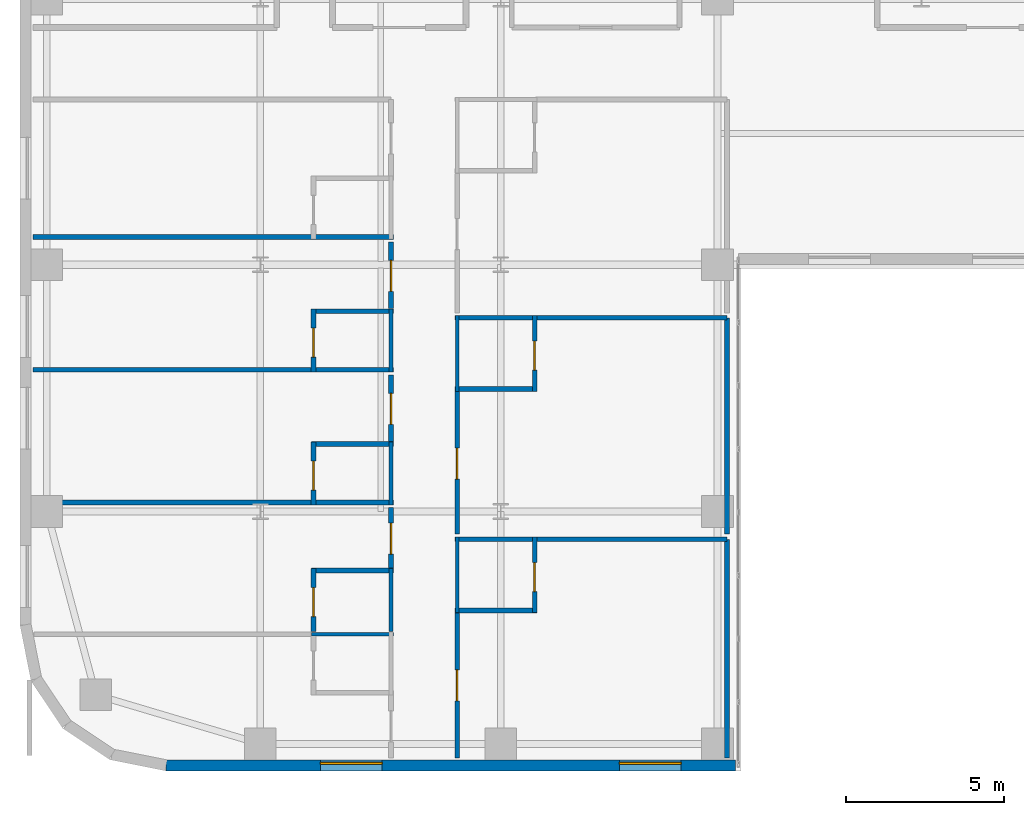
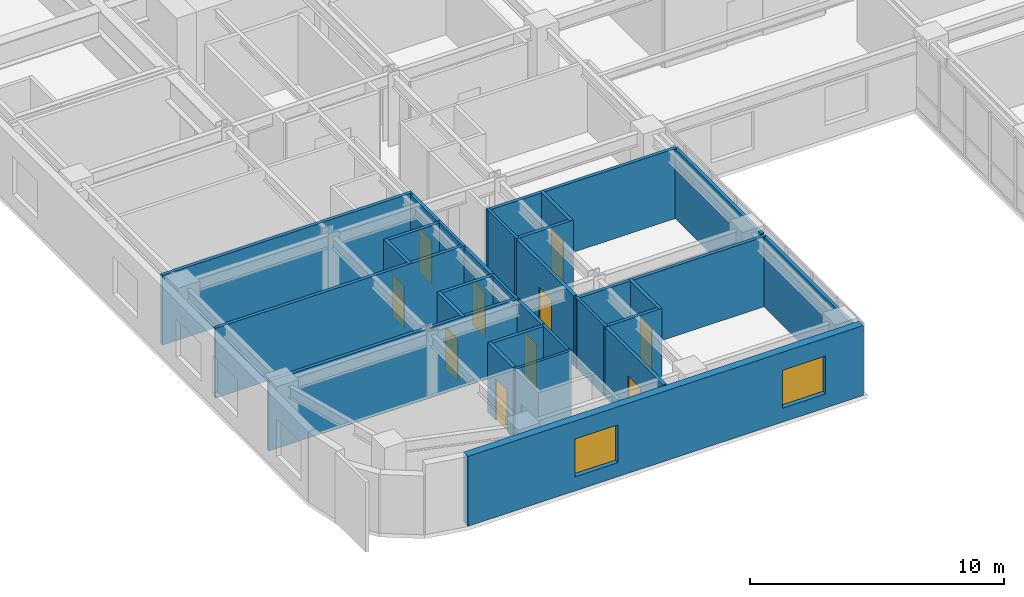
# One storey, part 10 of 17: 31 walls, 10 doors, 2 windows, 12 openings.
"""IFC4 building model written with IfcOpenShell, lengths in metres."""

from ifc_helpers import new_model, si_unit, direction, frame, frame_2d, origin, place, context, subcontext, project, spatial, rectangle, extrude, source, transform, mapped, material, layer, layer_set, type_object, type_shapes, element, fill, save


model = new_model("IFC4")

# Units and contexts
model_context = context("Model", 3, precision=1e-05, world=origin(), true_north=direction((0.0, 1.0)))
body_context = subcontext(model_context, "Body", "Model", "MODEL_VIEW")
ifc_project = project(units=[si_unit("LENGTHUNIT", "METRE"), si_unit("AREAUNIT", "SQUARE_METRE"), si_unit("VOLUMEUNIT", "CUBIC_METRE"), si_unit("PLANEANGLEUNIT", "RADIAN"), si_unit("MASSUNIT", "GRAM", prefix="KILO")], contexts=[model_context])

# Site, building, storey
site_placement = place(None, origin())
site = spatial("IfcSite", under=ifc_project, at=site_placement, CompositionType="ELEMENT")
building_placement = place(site_placement, origin())
building = spatial("IfcBuilding", under=site, at=building_placement, Name="Tolvann Quenvar Hotel", CompositionType="ELEMENT")
storey_placement = place(building_placement, frame((0.0, 0.0, 35.550048828125)))
storey = spatial("IfcBuildingStorey", under=building, at=storey_placement, Name="L07", CompositionType="ELEMENT", Elevation=35.550048828125)

# Wall, openings, windows
ifc_material_1 = material(Name="Kiln-fired red and buff architectural clay brickwork and terracotta masonry", Category="masonry")
ifc_layer_1 = layer(ifc_material_1, 0.35009765625)
ifc_layer_set_1 = layer_set([ifc_layer_1], Name="Kiln-fired red and buff architectural clay brickwork and terracotta masonry")
wall_type_1 = type_object("IfcWallType", Name="WALL_EXT_BRICK_350", PredefinedType="SOLIDWALL", material=ifc_layer_set_1)
wall_1_placement = place(storey_placement, frame((4.6171875, 0.175048828125, 0.0), z_axis=(0.0, 0.0, 1.0), x_axis=(1.0, 0.0, 0.0)))
wall_1 = element("IfcWall", 1, at=wall_1_placement, inside=storey, type_object=wall_type_1, Name="Exterior Chicago Brick Wall L07-E04", PredefinedType="SOLIDWALL", context=body_context, shape_type="SweptSolid", body=[
    extrude(rectangle(XDim=18.0078125, YDim=0.35009765625, at=frame_2d((9.00390625, 0.0))), origin(), (0.0, 0.0, 1.0), 3.369873046875),
])
opening_1_placement = place(wall_1_placement, frame((4.8779296875, 0.0, 0.679931640625)))
opening_1 = element("IfcOpeningElement", 2, at=opening_1_placement, cuts=wall_1, Name="Opening W-10", PredefinedType="OPENING", context=body_context, shape_type="SweptSolid", body=[
    extrude(rectangle(XDim=1.949951171875, YDim=1.820068359375, at=frame_2d((0.97509765625, 0.91015625))), frame((0.0, 0.18505859375, 0.0), z_axis=(0.0, -1.0, 0.0), x_axis=(1.0, 0.0, 0.0)), (0.0, 0.0, 1.0), 0.3701171875),
])
opening_2_placement = place(wall_1_placement, frame((14.33203125, 0.0, 0.679931640625)))
opening_2 = element("IfcOpeningElement", 3, at=opening_2_placement, cuts=wall_1, Name="Opening W-10", PredefinedType="OPENING", context=body_context, shape_type="SweptSolid", body=[
    extrude(rectangle(XDim=1.949951171875, YDim=1.820068359375, at=frame_2d((0.97509765625, 0.91015625))), frame((0.0, 0.18505859375, 0.0), z_axis=(0.0, -1.0, 0.0), x_axis=(1.0, 0.0, 0.0)), (0.0, 0.0, 1.0), 0.3701171875),
])
ifc_material_2 = material(Name="Thermally broken bronze-anodised aluminium frame with double low-E glazing", Category="aluminium")
window_type = type_object("IfcWindowType", Name="WIN_CLB_1950x1850", PartitioningType="DOUBLE_PANEL_VERTICAL", PredefinedType="WINDOW", material=ifc_material_2)
shared_shape_1 = source(origin(), body_context, "Body", "SweptSolid", [
    extrude(rectangle(XDim=1.949951171875, YDim=1.820068359375, at=frame_2d((0.97509765625, 0.91015625))), frame((0.0, 0.090087890625, 0.0), z_axis=(0.0, -1.0, 0.0), x_axis=(1.0, 0.0, 0.0)), (0.0, 0.0, 1.0), 0.06005859375),
])
type_shapes(window_type, [shared_shape_1])
window_1_placement = place(opening_1_placement, origin())
window_1 = element("IfcWindow", 4, at=window_1_placement, inside=storey, type_object=window_type, Name="Chicago Window W-10 (EW-L07-E04-W01)", OverallHeight=1.820068359375, OverallWidth=1.949951171875, PartitioningType="DOUBLE_PANEL_VERTICAL", PredefinedType="WINDOW", context=body_context, shape_type="MappedRepresentation", body=[
    mapped(shared_shape_1, transform((0.0, 0.0, 0.0), x_axis=(1.0, 0.0, 0.0), y_axis=(0.0, 1.0, 0.0), z_axis=(0.0, 0.0, 1.0), scale=1.0)),
])
fill(opening_1, window_1)
window_2_placement = place(opening_2_placement, origin())
window_2 = element("IfcWindow", 5, at=window_2_placement, inside=storey, type_object=window_type, Name="Chicago Window W-10 (EW-L07-E04-W02)", OverallHeight=1.820068359375, OverallWidth=1.949951171875, PartitioningType="DOUBLE_PANEL_VERTICAL", PredefinedType="WINDOW", context=body_context, shape_type="MappedRepresentation", body=[
    mapped(shared_shape_1, transform((0.0, 0.0, 0.0), x_axis=(1.0, 0.0, 0.0), y_axis=(0.0, 1.0, 0.0), z_axis=(0.0, 0.0, 1.0), scale=1.0)),
])
fill(opening_2, window_2)

# Walls
ifc_material_3 = material(Name="Moisture-resistant acoustic plumbing wall assembly")
ifc_layer_2 = layer(ifc_material_3, 0.1201171875)
ifc_layer_set_2 = layer_set([ifc_layer_2], Name="Moisture-resistant acoustic plumbing wall assembly")
wall_type_2 = type_object("IfcWallType", Name="WALL_PART_BATH_120", PredefinedType="PLUMBINGWALL", material=ifc_layer_set_2)
wall_2_placement = place(storey_placement, frame((9.2099609375, 4.320068359375, 0.0), z_axis=(0.0, 0.0, 1.0), x_axis=(1.0, 0.0, 0.0)))
element("IfcWall", 6, at=wall_2_placement, inside=storey, type_object=wall_type_2, Name="Non-Rated Plumbing Partition PT-SPC-L07-ENS-WO01-N", PredefinedType="PLUMBINGWALL", context=body_context, shape_type="SweptSolid", body=[
    extrude(rectangle(XDim=2.590087890625, YDim=0.1201171875, at=frame_2d((1.294921875, 0.0))), origin(), (0.0, 0.0, 1.0), 3.369873046875),
])
for number, where, z_axis, x_axis, name in (
    (7, (11.72998046875, 4.409912109375, 0.0), (0.0, 0.0, 1.0), (0.0, 1.0, 0.0), "Non-Rated Plumbing Partition PT-SPC-L07-ENS-WO02-E"),
    (8, (11.72998046875, 8.409912109375, 0.0), (0.0, 0.0, 1.0), (0.0, 1.0, 0.0), "Non-Rated Plumbing Partition PT-SPC-L07-ENS-WO03-E"),
    (9, (11.72998046875, 12.610107421875, 0.0), (0.0, 0.0, 1.0), (0.0, 1.0, 0.0), "Non-Rated Plumbing Partition PT-SPC-L07-ENS-WO04-E"),
):
    element("IfcWall", number, at=place(storey_placement, frame(where, z_axis=z_axis, x_axis=x_axis)), inside=storey, type_object=wall_type_2, Name=name, PredefinedType="PLUMBINGWALL", context=body_context, shape_type="SweptSolid", body=[
        extrude(rectangle(XDim=1.989990234375, YDim=0.1201171875, at=frame_2d((0.9951171875, 0.0))), origin(), (0.0, 0.0, 1.0), 3.369873046875),
    ])
for number, where, z_axis, x_axis, name in (
    (10, (13.820068359375, 5.0, 0.0), (0.0, 0.0, 1.0), (0.0, 1.0, 0.0), "Non-Rated Plumbing Partition PT-SPC-L07-ENS-WI01-W"),
    (11, (13.820068359375, 12.0, 0.0), (0.0, 0.0, 1.0), (0.0, 1.0, 0.0), "Non-Rated Plumbing Partition PT-SPC-L07-ENS-WI02-W"),
):
    element("IfcWall", number, at=place(storey_placement, frame(where, z_axis=z_axis, x_axis=x_axis)), inside=storey, type_object=wall_type_2, Name=name, PredefinedType="PLUMBINGWALL", context=body_context, shape_type="SweptSolid", body=[
        extrude(rectangle(XDim=2.389892578125, YDim=0.1201171875, at=frame_2d((1.19482421875, 0.0))), origin(), (0.0, 0.0, 1.0), 3.369873046875),
    ])

# Wall, opening, door
ifc_material_4 = material(Name="Acoustic twin-stud fire-rated gypsum plasterboard partition")
ifc_layer_3 = layer(ifc_material_4, 0.14990234375)
ifc_layer_set_3 = layer_set([ifc_layer_3], Name="Acoustic twin-stud fire-rated gypsum plasterboard partition")
wall_type_3 = type_object("IfcWallType", Name="WALL_PART_SUITE_150", PredefinedType="PARTITIONING", material=ifc_layer_set_3)
wall_3_placement = place(storey_placement, frame((9.280029296875, 4.409912109375, 0.0), z_axis=(0.0, 0.0, 1.0), x_axis=(0.0, 1.0, 0.0)))
wall_3 = element("IfcWall", 12, at=wall_3_placement, inside=storey, type_object=wall_type_3, Name="Interior Partition PT-SPC-L07-ENS-WO02-ENT", PredefinedType="PARTITIONING", context=body_context, shape_type="SweptSolid", body=[
    extrude(rectangle(XDim=1.989990234375, YDim=0.14990234375, at=frame_2d((0.9951171875, 0.0))), origin(), (0.0, 0.0, 1.0), 3.369873046875),
])
opening_3_placement = place(wall_3_placement, frame((0.465087890625, 0.0, 0.0)))
opening_3 = element("IfcOpeningElement", 13, at=opening_3_placement, cuts=wall_3, Name="Opening WD-01", PredefinedType="OPENING", context=body_context, shape_type="SweptSolid", body=[
    extrude(rectangle(XDim=0.919921875, YDim=2.010009765625, at=frame_2d((0.4599609375, 1.0048828125))), frame((0.0, 0.0849609375, 0.0), z_axis=(0.0, -1.0, 0.0), x_axis=(1.0, 0.0, 0.0)), (0.0, 0.0, 1.0), 0.169921875),
])
ifc_material_5 = material(Name="Solid-core American oak acoustic fire door leaf in steel frame", Category="steel")
door_type_1 = type_object("IfcDoorType", Name="DOOR_WC_920", OperationType="NOTDEFINED", PredefinedType="DOOR", material=ifc_material_5)
shared_shape_2 = source(origin(), body_context, "Body", "SweptSolid", [
    extrude(rectangle(XDim=0.919921875, YDim=2.010009765625, at=frame_2d((0.4599609375, 1.0048828125))), frame((0.0, 0.02490234375, 0.0), z_axis=(0.0, -1.0, 0.0), x_axis=(1.0, 0.0, 0.0)), (0.0, 0.0, 1.0), 0.050048828125),
])
type_shapes(door_type_1, [shared_shape_2])
door_1_placement = place(opening_3_placement, origin())
door_1 = element("IfcDoor", 14, at=door_1_placement, inside=storey, type_object=door_type_1, Name="Interior Door DOOR-SPC-L07-ENS-WO02", OperationType="SINGLE_SWING_LEFT", OverallHeight=2.010009765625, OverallWidth=0.919921875, PredefinedType="DOOR", context=body_context, shape_type="MappedRepresentation", body=[
    mapped(shared_shape_2, transform((0.0, 0.0, 0.0), x_axis=(1.0, 0.0, 0.0), y_axis=(0.0, 1.0, 0.0), z_axis=(0.0, 0.0, 1.0), scale=1.0)),
])
fill(opening_3, door_1)

# Wall
wall_4_placement = place(storey_placement, frame((9.2099609375, 6.330078125, 0.0), z_axis=(0.0, 0.0, 1.0), x_axis=(1.0, 0.0, 0.0)))
element("IfcWall", 15, at=wall_4_placement, inside=storey, type_object=wall_type_3, Name="Interior Partition PT-SPC-L07-ENS-WO02-N", PredefinedType="PARTITIONING", context=body_context, shape_type="SweptSolid", body=[
    extrude(rectangle(XDim=2.590087890625, YDim=0.14990234375, at=frame_2d((1.294921875, 0.0))), origin(), (0.0, 0.0, 1.0), 3.369873046875),
])

# Wall, opening, door
wall_5_placement = place(storey_placement, frame((9.280029296875, 8.409912109375, 0.0), z_axis=(0.0, 0.0, 1.0), x_axis=(0.0, 1.0, 0.0)))
wall_5 = element("IfcWall", 16, at=wall_5_placement, inside=storey, type_object=wall_type_3, Name="Interior Partition PT-SPC-L07-ENS-WO03-ENT", PredefinedType="PARTITIONING", context=body_context, shape_type="SweptSolid", body=[
    extrude(rectangle(XDim=1.989990234375, YDim=0.14990234375, at=frame_2d((0.9951171875, 0.0))), origin(), (0.0, 0.0, 1.0), 3.369873046875),
])
opening_4_placement = place(wall_5_placement, frame((0.465087890625, 0.0, 0.0)))
opening_4 = element("IfcOpeningElement", 17, at=opening_4_placement, cuts=wall_5, Name="Opening WD-01", PredefinedType="OPENING", context=body_context, shape_type="SweptSolid", body=[
    extrude(rectangle(XDim=0.919921875, YDim=2.010009765625, at=frame_2d((0.4599609375, 1.0048828125))), frame((0.0, 0.0849609375, 0.0), z_axis=(0.0, -1.0, 0.0), x_axis=(1.0, 0.0, 0.0)), (0.0, 0.0, 1.0), 0.169921875),
])
door_2_placement = place(opening_4_placement, origin())
door_2 = element("IfcDoor", 18, at=door_2_placement, inside=storey, type_object=door_type_1, Name="Interior Door DOOR-SPC-L07-ENS-WO03", OperationType="SINGLE_SWING_RIGHT", OverallHeight=2.010009765625, OverallWidth=0.919921875, PredefinedType="DOOR", context=body_context, shape_type="MappedRepresentation", body=[
    mapped(shared_shape_2, transform((0.0, 0.0, 0.0), x_axis=(1.0, 0.0, 0.0), y_axis=(0.0, 1.0, 0.0), z_axis=(0.0, 0.0, 1.0), scale=1.0)),
])
fill(opening_4, door_2)

# Walls
wall_6_placement = place(storey_placement, frame((0.405029296875, 8.47998046875, 0.0), z_axis=(0.0, 0.0, 1.0), x_axis=(1.0, 0.0, 0.0)))
element("IfcWall", 19, at=wall_6_placement, inside=storey, type_object=wall_type_3, Name="Interior Partition PT-SPC-L07-ENS-WO03-S", PredefinedType="PARTITIONING", context=body_context, shape_type="SweptSolid", body=[
    extrude(rectangle(XDim=11.39501953125, YDim=0.14990234375, at=frame_2d((5.697509765625, 0.0))), origin(), (0.0, 0.0, 1.0), 3.369873046875),
])
wall_7_placement = place(storey_placement, frame((9.2099609375, 10.330078125, 0.0), z_axis=(0.0, 0.0, 1.0), x_axis=(1.0, 0.0, 0.0)))
element("IfcWall", 20, at=wall_7_placement, inside=storey, type_object=wall_type_3, Name="Interior Partition PT-SPC-L07-ENS-WO03-N", PredefinedType="PARTITIONING", context=body_context, shape_type="SweptSolid", body=[
    extrude(rectangle(XDim=2.590087890625, YDim=0.14990234375, at=frame_2d((1.294921875, 0.0))), origin(), (0.0, 0.0, 1.0), 3.369873046875),
])

# Wall, opening, door
wall_8_placement = place(storey_placement, frame((9.280029296875, 12.610107421875, 0.0), z_axis=(0.0, 0.0, 1.0), x_axis=(0.0, 1.0, 0.0)))
wall_8 = element("IfcWall", 21, at=wall_8_placement, inside=storey, type_object=wall_type_3, Name="Interior Partition PT-SPC-L07-ENS-WO04-ENT", PredefinedType="PARTITIONING", context=body_context, shape_type="SweptSolid", body=[
    extrude(rectangle(XDim=1.989990234375, YDim=0.14990234375, at=frame_2d((0.9951171875, 0.0))), origin(), (0.0, 0.0, 1.0), 3.369873046875),
])
opening_5_placement = place(wall_8_placement, frame((0.465087890625, 0.0, 0.0)))
opening_5 = element("IfcOpeningElement", 22, at=opening_5_placement, cuts=wall_8, Name="Opening WD-01", PredefinedType="OPENING", context=body_context, shape_type="SweptSolid", body=[
    extrude(rectangle(XDim=0.919921875, YDim=2.010009765625, at=frame_2d((0.4599609375, 1.0048828125))), frame((0.0, 0.0849609375, 0.0), z_axis=(0.0, -1.0, 0.0), x_axis=(1.0, 0.0, 0.0)), (0.0, 0.0, 1.0), 0.169921875),
])
door_3_placement = place(opening_5_placement, origin())
door_3 = element("IfcDoor", 23, at=door_3_placement, inside=storey, type_object=door_type_1, Name="Interior Door DOOR-SPC-L07-ENS-WO04", OperationType="SINGLE_SWING_LEFT", OverallHeight=2.010009765625, OverallWidth=0.919921875, PredefinedType="DOOR", context=body_context, shape_type="MappedRepresentation", body=[
    mapped(shared_shape_2, transform((0.0, 0.0, 0.0), x_axis=(1.0, 0.0, 0.0), y_axis=(0.0, 1.0, 0.0), z_axis=(0.0, 0.0, 1.0), scale=1.0)),
])
fill(opening_5, door_3)

# Walls
wall_9_placement = place(storey_placement, frame((0.405029296875, 12.679931640625, 0.0), z_axis=(0.0, 0.0, 1.0), x_axis=(1.0, 0.0, 0.0)))
element("IfcWall", 24, at=wall_9_placement, inside=storey, type_object=wall_type_3, Name="Interior Partition PT-SPC-L07-ENS-WO04-S", PredefinedType="PARTITIONING", context=body_context, shape_type="SweptSolid", body=[
    extrude(rectangle(XDim=11.39501953125, YDim=0.14990234375, at=frame_2d((5.697509765625, 0.0))), origin(), (0.0, 0.0, 1.0), 3.369873046875),
])
wall_10_placement = place(storey_placement, frame((9.2099609375, 14.530029296875, 0.0), z_axis=(0.0, 0.0, 1.0), x_axis=(1.0, 0.0, 0.0)))
element("IfcWall", 25, at=wall_10_placement, inside=storey, type_object=wall_type_3, Name="Interior Partition PT-SPC-L07-ENS-WO04-N", PredefinedType="PARTITIONING", context=body_context, shape_type="SweptSolid", body=[
    extrude(rectangle(XDim=2.590087890625, YDim=0.14990234375, at=frame_2d((1.294921875, 0.0))), origin(), (0.0, 0.0, 1.0), 3.369873046875),
])
wall_11_placement = place(storey_placement, frame((0.405029296875, 16.8798828125, 0.0), z_axis=(0.0, 0.0, 1.0), x_axis=(1.0, 0.0, 0.0)))
element("IfcWall", 26, at=wall_11_placement, inside=storey, type_object=wall_type_3, Name="Interior Partition PT-SPC-L07-ENS-WO05-S", PredefinedType="PARTITIONING", context=body_context, shape_type="SweptSolid", body=[
    extrude(rectangle(XDim=11.39501953125, YDim=0.14990234375, at=frame_2d((5.697509765625, 0.0))), origin(), (0.0, 0.0, 1.0), 3.369873046875),
])

# Wall, opening, door
wall_12_placement = place(storey_placement, frame((16.27001953125, 5.0, 0.0), z_axis=(0.0, 0.0, 1.0), x_axis=(0.0, 1.0, 0.0)))
wall_12 = element("IfcWall", 27, at=wall_12_placement, inside=storey, type_object=wall_type_3, Name="Interior Partition PT-SPC-L07-ENS-WI01-ENT", PredefinedType="PARTITIONING", context=body_context, shape_type="SweptSolid", body=[
    extrude(rectangle(XDim=2.389892578125, YDim=0.14990234375, at=frame_2d((1.19482421875, 0.0))), origin(), (0.0, 0.0, 1.0), 3.369873046875),
])
opening_6_placement = place(wall_12_placement, frame((0.6650390625, 0.0, 0.0)))
opening_6 = element("IfcOpeningElement", 28, at=opening_6_placement, cuts=wall_12, Name="Opening WD-01", PredefinedType="OPENING", context=body_context, shape_type="SweptSolid", body=[
    extrude(rectangle(XDim=0.919921875, YDim=2.010009765625, at=frame_2d((0.4599609375, 1.0048828125))), frame((0.0, 0.0849609375, 0.0), z_axis=(0.0, -1.0, 0.0), x_axis=(1.0, 0.0, 0.0)), (0.0, 0.0, 1.0), 0.169921875),
])
door_4_placement = place(opening_6_placement, origin())
door_4 = element("IfcDoor", 29, at=door_4_placement, inside=storey, type_object=door_type_1, Name="Interior Door DOOR-SPC-L07-ENS-WI01", OperationType="SINGLE_SWING_LEFT", OverallHeight=2.010009765625, OverallWidth=0.919921875, PredefinedType="DOOR", context=body_context, shape_type="MappedRepresentation", body=[
    mapped(shared_shape_2, transform((0.0, 0.0, 0.0), x_axis=(1.0, 0.0, 0.0), y_axis=(0.0, 1.0, 0.0), z_axis=(0.0, 0.0, 1.0), scale=1.0)),
])
fill(opening_6, door_4)

# Walls
for number, where, z_axis, x_axis, name in (
    (30, (13.75, 5.070068359375, 0.0), (0.0, 0.0, 1.0), (1.0, 0.0, 0.0), "Interior Partition PT-SPC-L07-ENS-WI01-S"),
    (31, (13.75, 7.320068359375, 0.0), (0.0, 0.0, 1.0), (1.0, 0.0, 0.0), "Interior Partition PT-SPC-L07-ENS-WI01-N"),
):
    element("IfcWall", number, at=place(storey_placement, frame(where, z_axis=z_axis, x_axis=x_axis)), inside=storey, type_object=wall_type_3, Name=name, PredefinedType="PARTITIONING", context=body_context, shape_type="SweptSolid", body=[
        extrude(rectangle(XDim=2.590087890625, YDim=0.14990234375, at=frame_2d((1.294921875, 0.0))), origin(), (0.0, 0.0, 1.0), 3.369873046875),
    ])

# Wall, opening, door
wall_13_placement = place(storey_placement, frame((16.27001953125, 12.0, 0.0), z_axis=(0.0, 0.0, 1.0), x_axis=(0.0, 1.0, 0.0)))
wall_13 = element("IfcWall", 32, at=wall_13_placement, inside=storey, type_object=wall_type_3, Name="Interior Partition PT-SPC-L07-ENS-WI02-ENT", PredefinedType="PARTITIONING", context=body_context, shape_type="SweptSolid", body=[
    extrude(rectangle(XDim=2.389892578125, YDim=0.14990234375, at=frame_2d((1.19482421875, 0.0))), origin(), (0.0, 0.0, 1.0), 3.369873046875),
])
opening_7_placement = place(wall_13_placement, frame((0.6650390625, 0.0, 0.0)))
opening_7 = element("IfcOpeningElement", 33, at=opening_7_placement, cuts=wall_13, Name="Opening WD-01", PredefinedType="OPENING", context=body_context, shape_type="SweptSolid", body=[
    extrude(rectangle(XDim=0.919921875, YDim=2.010009765625, at=frame_2d((0.4599609375, 1.0048828125))), frame((0.0, 0.0849609375, 0.0), z_axis=(0.0, -1.0, 0.0), x_axis=(1.0, 0.0, 0.0)), (0.0, 0.0, 1.0), 0.169921875),
])
door_5_placement = place(opening_7_placement, origin())
door_5 = element("IfcDoor", 34, at=door_5_placement, inside=storey, type_object=door_type_1, Name="Interior Door DOOR-SPC-L07-ENS-WI02", OperationType="SINGLE_SWING_RIGHT", OverallHeight=2.010009765625, OverallWidth=0.919921875, PredefinedType="DOOR", context=body_context, shape_type="MappedRepresentation", body=[
    mapped(shared_shape_2, transform((0.0, 0.0, 0.0), x_axis=(1.0, 0.0, 0.0), y_axis=(0.0, 1.0, 0.0), z_axis=(0.0, 0.0, 1.0), scale=1.0)),
])
fill(opening_7, door_5)

# Walls
for number, where, z_axis, x_axis, name in (
    (35, (13.75, 12.070068359375, 0.0), (0.0, 0.0, 1.0), (1.0, 0.0, 0.0), "Interior Partition PT-SPC-L07-ENS-WI02-S"),
    (36, (13.75, 14.320068359375, 0.0), (0.0, 0.0, 1.0), (1.0, 0.0, 0.0), "Interior Partition PT-SPC-L07-ENS-WI02-N"),
):
    element("IfcWall", number, at=place(storey_placement, frame(where, z_axis=z_axis, x_axis=x_axis)), inside=storey, type_object=wall_type_3, Name=name, PredefinedType="PARTITIONING", context=body_context, shape_type="SweptSolid", body=[
        extrude(rectangle(XDim=2.590087890625, YDim=0.14990234375, at=frame_2d((1.294921875, 0.0))), origin(), (0.0, 0.0, 1.0), 3.369873046875),
    ])

# Wall, opening, door
wall_14_placement = place(storey_placement, frame((11.72998046875, 6.409912109375, 0.0), z_axis=(0.0, 0.0, 1.0), x_axis=(0.0, 1.0, 0.0)))
wall_14 = element("IfcWall", 37, at=wall_14_placement, inside=storey, type_object=wall_type_3, Name="Interior Partition PT-SPC-L07-RM-WO02-ENT", PredefinedType="PARTITIONING", context=body_context, shape_type="SweptSolid", body=[
    extrude(rectangle(XDim=1.91015625, YDim=0.14990234375, at=frame_2d((0.955078125, 0.0))), origin(), (0.0, 0.0, 1.0), 3.369873046875),
])
opening_8_placement = place(wall_14_placement, frame((0.445068359375, 0.0, 0.0)))
opening_8 = element("IfcOpeningElement", 38, at=opening_8_placement, cuts=wall_14, Name="Opening SD-01", PredefinedType="OPENING", context=body_context, shape_type="SweptSolid", body=[
    extrude(rectangle(XDim=0.97998046875, YDim=2.1201171875, at=frame_2d((0.489990234375, 1.06005859375))), frame((0.0, 0.0849609375, 0.0), z_axis=(0.0, -1.0, 0.0), x_axis=(1.0, 0.0, 0.0)), (0.0, 0.0, 1.0), 0.169921875),
])
door_type_2 = type_object("IfcDoorType", Name="DOOR_SUITE_980", OperationType="NOTDEFINED", PredefinedType="DOOR", material=ifc_material_5)
shared_shape_3 = source(origin(), body_context, "Body", "SweptSolid", [
    extrude(rectangle(XDim=0.97998046875, YDim=2.1201171875, at=frame_2d((0.489990234375, 1.06005859375))), frame((0.0, 0.02490234375, 0.0), z_axis=(0.0, -1.0, 0.0), x_axis=(1.0, 0.0, 0.0)), (0.0, 0.0, 1.0), 0.050048828125),
])
type_shapes(door_type_2, [shared_shape_3])
door_6_placement = place(opening_8_placement, origin())
door_6 = element("IfcDoor", 39, at=door_6_placement, inside=storey, type_object=door_type_2, Name="Interior Door DOOR-SPC-L07-RM-WO02", OperationType="SINGLE_SWING_LEFT", OverallHeight=2.1201171875, OverallWidth=0.97998046875, PredefinedType="DOOR", context=body_context, shape_type="MappedRepresentation", body=[
    mapped(shared_shape_3, transform((0.0, 0.0, 0.0), x_axis=(1.0, 0.0, 0.0), y_axis=(0.0, 1.0, 0.0), z_axis=(0.0, 0.0, 1.0), scale=1.0)),
])
fill(opening_8, door_6)

wall_15_placement = place(storey_placement, frame((11.72998046875, 10.409912109375, 0.0), z_axis=(0.0, 0.0, 1.0), x_axis=(0.0, 1.0, 0.0)))
wall_15 = element("IfcWall", 40, at=wall_15_placement, inside=storey, type_object=wall_type_3, Name="Interior Partition PT-SPC-L07-RM-WO03-ENT", PredefinedType="PARTITIONING", context=body_context, shape_type="SweptSolid", body=[
    extrude(rectangle(XDim=2.110107421875, YDim=0.14990234375, at=frame_2d((1.05517578125, 0.0))), origin(), (0.0, 0.0, 1.0), 3.369873046875),
])
opening_9_placement = place(wall_15_placement, frame((0.544921875, 0.0, 0.0)))
opening_9 = element("IfcOpeningElement", 41, at=opening_9_placement, cuts=wall_15, Name="Opening SD-01", PredefinedType="OPENING", context=body_context, shape_type="SweptSolid", body=[
    extrude(rectangle(XDim=0.97998046875, YDim=2.1201171875, at=frame_2d((0.489990234375, 1.06005859375))), frame((0.0, 0.0849609375, 0.0), z_axis=(0.0, -1.0, 0.0), x_axis=(1.0, 0.0, 0.0)), (0.0, 0.0, 1.0), 0.169921875),
])
door_7_placement = place(opening_9_placement, origin())
door_7 = element("IfcDoor", 42, at=door_7_placement, inside=storey, type_object=door_type_2, Name="Interior Door DOOR-SPC-L07-RM-WO03", OperationType="SINGLE_SWING_RIGHT", OverallHeight=2.1201171875, OverallWidth=0.97998046875, PredefinedType="DOOR", context=body_context, shape_type="MappedRepresentation", body=[
    mapped(shared_shape_3, transform((0.0, 0.0, 0.0), x_axis=(1.0, 0.0, 0.0), y_axis=(0.0, 1.0, 0.0), z_axis=(0.0, 0.0, 1.0), scale=1.0)),
])
fill(opening_9, door_7)

wall_16_placement = place(storey_placement, frame((11.72998046875, 14.610107421875, 0.0), z_axis=(0.0, 0.0, 1.0), x_axis=(0.0, 1.0, 0.0)))
wall_16 = element("IfcWall", 43, at=wall_16_placement, inside=storey, type_object=wall_type_3, Name="Interior Partition PT-SPC-L07-RM-WO04-ENT", PredefinedType="PARTITIONING", context=body_context, shape_type="SweptSolid", body=[
    extrude(rectangle(XDim=2.10986328125, YDim=0.14990234375, at=frame_2d((1.054931640625, 0.0))), origin(), (0.0, 0.0, 1.0), 3.369873046875),
])
opening_10_placement = place(wall_16_placement, frame((0.544921875, 0.0, 0.0)))
opening_10 = element("IfcOpeningElement", 44, at=opening_10_placement, cuts=wall_16, Name="Opening SD-01", PredefinedType="OPENING", context=body_context, shape_type="SweptSolid", body=[
    extrude(rectangle(XDim=0.97998046875, YDim=2.1201171875, at=frame_2d((0.489990234375, 1.06005859375))), frame((0.0, 0.0849609375, 0.0), z_axis=(0.0, -1.0, 0.0), x_axis=(1.0, 0.0, 0.0)), (0.0, 0.0, 1.0), 0.169921875),
])
door_8_placement = place(opening_10_placement, origin())
door_8 = element("IfcDoor", 45, at=door_8_placement, inside=storey, type_object=door_type_2, Name="Interior Door DOOR-SPC-L07-RM-WO04", OperationType="SINGLE_SWING_LEFT", OverallHeight=2.1201171875, OverallWidth=0.97998046875, PredefinedType="DOOR", context=body_context, shape_type="MappedRepresentation", body=[
    mapped(shared_shape_3, transform((0.0, 0.0, 0.0), x_axis=(1.0, 0.0, 0.0), y_axis=(0.0, 1.0, 0.0), z_axis=(0.0, 0.0, 1.0), scale=1.0)),
])
fill(opening_10, door_8)

wall_17_placement = place(storey_placement, frame((13.820068359375, 0.405029296875, 0.0), z_axis=(0.0, 0.0, 1.0), x_axis=(0.0, 1.0, 0.0)))
wall_17 = element("IfcWall", 46, at=wall_17_placement, inside=storey, type_object=wall_type_3, Name="Interior Partition PT-SPC-L07-RM-WI01-ENT", PredefinedType="PARTITIONING", context=body_context, shape_type="SweptSolid", body=[
    extrude(rectangle(XDim=4.5849609375, YDim=0.14990234375, at=frame_2d((2.29248046875, 0.0))), origin(), (0.0, 0.0, 1.0), 3.369873046875),
])
opening_11_placement = place(wall_17_placement, frame((1.81005859375, 0.0, 0.0)))
opening_11 = element("IfcOpeningElement", 47, at=opening_11_placement, cuts=wall_17, Name="Opening SD-01", PredefinedType="OPENING", context=body_context, shape_type="SweptSolid", body=[
    extrude(rectangle(XDim=0.97998046875, YDim=2.1201171875, at=frame_2d((0.489990234375, 1.06005859375))), frame((0.0, 0.0849609375, 0.0), z_axis=(0.0, -1.0, 0.0), x_axis=(1.0, 0.0, 0.0)), (0.0, 0.0, 1.0), 0.169921875),
])
door_9_placement = place(opening_11_placement, origin())
door_9 = element("IfcDoor", 48, at=door_9_placement, inside=storey, type_object=door_type_2, Name="Interior Door DOOR-SPC-L07-RM-WI01", OperationType="SINGLE_SWING_LEFT", OverallHeight=2.1201171875, OverallWidth=0.97998046875, PredefinedType="DOOR", context=body_context, shape_type="MappedRepresentation", body=[
    mapped(shared_shape_3, transform((0.0, 0.0, 0.0), x_axis=(1.0, 0.0, 0.0), y_axis=(0.0, 1.0, 0.0), z_axis=(0.0, 0.0, 1.0), scale=1.0)),
])
fill(opening_11, door_9)

# Walls
wall_18_placement = place(storey_placement, frame((22.35009765625, 0.405029296875, 0.0), z_axis=(0.0, 0.0, 1.0), x_axis=(0.0, 1.0, 0.0)))
element("IfcWall", 49, at=wall_18_placement, inside=storey, type_object=wall_type_3, Name="Interior Partition PT-SPC-L07-RM-WI01-E2", PredefinedType="PARTITIONING", context=body_context, shape_type="SweptSolid", body=[
    extrude(rectangle(XDim=6.9150390625, YDim=0.14990234375, at=frame_2d((3.45751953125, 0.0))), origin(), (0.0, 0.0, 1.0), 3.369873046875),
])
wall_19_placement = place(storey_placement, frame((16.2900390625, 7.320068359375, 0.0), z_axis=(0.0, 0.0, 1.0), x_axis=(1.0, 0.0, 0.0)))
element("IfcWall", 50, at=wall_19_placement, inside=storey, type_object=wall_type_3, Name="Interior Partition PT-SPC-L07-RM-WI01-E3", PredefinedType="PARTITIONING", context=body_context, shape_type="SweptSolid", body=[
    extrude(rectangle(XDim=6.06005859375, YDim=0.14990234375, at=frame_2d((3.030029296875, 0.0))), origin(), (0.0, 0.0, 1.0), 3.369873046875),
])

# Wall, opening, door
wall_20_placement = place(storey_placement, frame((13.820068359375, 7.47998046875, 0.0), z_axis=(0.0, 0.0, 1.0), x_axis=(0.0, 1.0, 0.0)))
wall_20 = element("IfcWall", 51, at=wall_20_placement, inside=storey, type_object=wall_type_3, Name="Interior Partition PT-SPC-L07-RM-WI02-ENT", PredefinedType="PARTITIONING", context=body_context, shape_type="SweptSolid", body=[
    extrude(rectangle(XDim=4.510009765625, YDim=0.14990234375, at=frame_2d((2.2548828125, 0.0))), origin(), (0.0, 0.0, 1.0), 3.369873046875),
])
opening_12_placement = place(wall_20_placement, frame((1.7451171875, 0.0, 0.0)))
opening_12 = element("IfcOpeningElement", 52, at=opening_12_placement, cuts=wall_20, Name="Opening SD-01", PredefinedType="OPENING", context=body_context, shape_type="SweptSolid", body=[
    extrude(rectangle(XDim=0.97998046875, YDim=2.1201171875, at=frame_2d((0.489990234375, 1.06005859375))), frame((0.0, 0.0849609375, 0.0), z_axis=(0.0, -1.0, 0.0), x_axis=(1.0, 0.0, 0.0)), (0.0, 0.0, 1.0), 0.169921875),
])
door_10_placement = place(opening_12_placement, origin())
door_10 = element("IfcDoor", 53, at=door_10_placement, inside=storey, type_object=door_type_2, Name="Interior Door DOOR-SPC-L07-RM-WI02", OperationType="SINGLE_SWING_RIGHT", OverallHeight=2.1201171875, OverallWidth=0.97998046875, PredefinedType="DOOR", context=body_context, shape_type="MappedRepresentation", body=[
    mapped(shared_shape_3, transform((0.0, 0.0, 0.0), x_axis=(1.0, 0.0, 0.0), y_axis=(0.0, 1.0, 0.0), z_axis=(0.0, 0.0, 1.0), scale=1.0)),
])
fill(opening_12, door_10)

# Walls
wall_21_placement = place(storey_placement, frame((22.35009765625, 7.47998046875, 0.0), z_axis=(0.0, 0.0, 1.0), x_axis=(0.0, 1.0, 0.0)))
element("IfcWall", 54, at=wall_21_placement, inside=storey, type_object=wall_type_3, Name="Interior Partition PT-SPC-L07-RM-WI02-E2", PredefinedType="PARTITIONING", context=body_context, shape_type="SweptSolid", body=[
    extrude(rectangle(XDim=6.840087890625, YDim=0.14990234375, at=frame_2d((3.419921875, 0.0))), origin(), (0.0, 0.0, 1.0), 3.369873046875),
])
wall_22_placement = place(storey_placement, frame((16.2900390625, 14.320068359375, 0.0), z_axis=(0.0, 0.0, 1.0), x_axis=(1.0, 0.0, 0.0)))
element("IfcWall", 55, at=wall_22_placement, inside=storey, type_object=wall_type_3, Name="Interior Partition PT-SPC-L07-RM-WI02-E3", PredefinedType="PARTITIONING", context=body_context, shape_type="SweptSolid", body=[
    extrude(rectangle(XDim=6.06005859375, YDim=0.14990234375, at=frame_2d((3.030029296875, 0.0))), origin(), (0.0, 0.0, 1.0), 3.369873046875),
])

save(model, "model.ifc")
